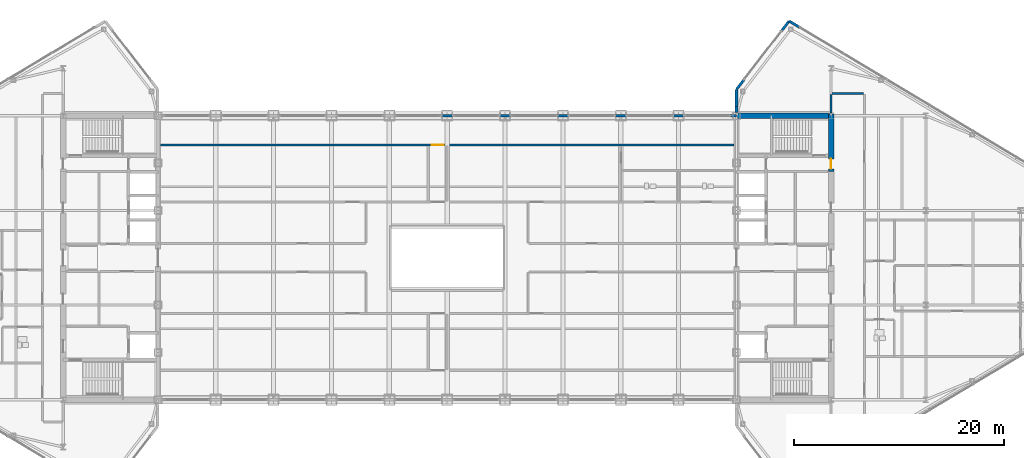
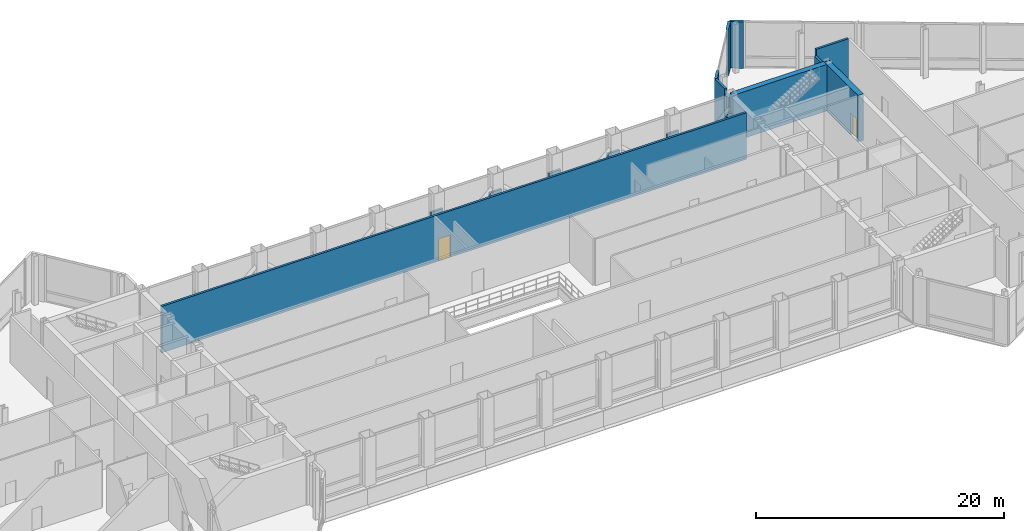
# One storey, part 27 of 30: 16 walls, 2 doors, 2 openings.
"""IFC4 building model written with IfcOpenShell, lengths in metres."""

import ifcopenshell
import ifcopenshell.guid

model = None  # the IFC model being written
_history = None  # IfcOwnerHistory: only IFC2X3 demands one
_inside = {}  # id of a spatial element -> (the spatial element, [elements in it])
_under = {}  # id of a project, library or spatial element -> (it, [spatial elements below it])
_declared = {}  # id of a project -> (the project, [libraries it declares])
_typed = {}  # id of a type object -> (the type object, [elements of that type])
_made_of = {}  # id of a material, layer set ... -> (it, [elements and type objects made of it])


def new_model(schema):
    """Start an empty IFC model of exactly this schema.

    Asked for "IFC4X3", IfcOpenShell would pick the latest addendum, in which some entities
    have other attributes; the version numbers below select the first issue.
    IFC2X3 requires an IfcOwnerHistory on every rooted entity: one is made here for all.
    """
    global model, _history
    if schema == "IFC4X3":
        model = ifcopenshell.file(schema_version=(4, 3, 0, 0))
    else:
        model = ifcopenshell.file(schema=schema)
    _inside.clear()
    _under.clear()
    _declared.clear()
    _typed.clear()
    _made_of.clear()
    _history = None
    if model.schema == "IFC2X3":
        org = make("IfcOrganization", Name="unknown")
        user = make(
            "IfcPersonAndOrganization",
            ThePerson=make("IfcPerson", FamilyName="unknown"),
            TheOrganization=org,
        )
        app = make(
            "IfcApplication",
            ApplicationDeveloper=org,
            Version="unknown",
            ApplicationFullName="unknown",
            ApplicationIdentifier="unknown",
        )
        _history = make(
            "IfcOwnerHistory",
            OwningUser=user,
            OwningApplication=app,
            ChangeAction="ADDED",
            CreationDate=0,
        )
    return model


def make(cls, **values):
    """One entity of the class cls with the attributes given. An attribute that is None is left unset."""
    return model.create_entity(
        cls, **{name: value for name, value in values.items() if value is not None}
    )


def rooted(cls, **values):
    """An entity with a GlobalId (a new one), such as an element, a storey or a relation."""
    return make(cls, GlobalId=ifcopenshell.guid.new(), OwnerHistory=_history, **values)


def si_unit(unit_type, name, prefix=None):
    """IfcSIUnit, for example si_unit("LENGTHUNIT", "METRE", prefix="MILLI")."""
    return make("IfcSIUnit", UnitType=unit_type, Prefix=prefix, Name=name)


def assignment(units):
    """IfcUnitAssignment: the units of a project."""
    return None if units is None else make("IfcUnitAssignment", Units=units)


def point(xyz):
    """IfcCartesianPoint."""
    return None if xyz is None else make("IfcCartesianPoint", Coordinates=xyz)


def direction(xyz):
    """IfcDirection."""
    return None if xyz is None else make("IfcDirection", DirectionRatios=xyz)


def frame(location, z_axis=None, x_axis=None):
    """IfcAxis2Placement3D, a coordinate frame: its origin and axes. An axis left out is left unset."""
    return make(
        "IfcAxis2Placement3D",
        Location=point(location),
        Axis=direction(z_axis),
        RefDirection=direction(x_axis),
    )


def frame_2d(location, x_axis=None):
    """IfcAxis2Placement2D, a coordinate frame in the plane: its origin and x axis."""
    return make(
        "IfcAxis2Placement2D", Location=point(location), RefDirection=direction(x_axis)
    )


def origin():
    """The frame at (0, 0, 0) with its axes left unset."""
    return frame((0.0, 0.0, 0.0))


def place(relative_to, where):
    """IfcLocalPlacement: puts the frame where relative to a parent placement (None: the world)."""
    return make(
        "IfcLocalPlacement", PlacementRelTo=relative_to, RelativePlacement=where
    )


def context(
    kind, dimensions, precision=None, world=None, true_north=None, identifier=None
):
    """IfcGeometricRepresentationContext, for example the 3D "Model" context."""
    return make(
        "IfcGeometricRepresentationContext",
        ContextIdentifier=identifier,
        ContextType=kind,
        CoordinateSpaceDimension=dimensions,
        Precision=precision,
        WorldCoordinateSystem=world,
        TrueNorth=true_north,
    )


def subcontext(parent, identifier, kind, view, scale=None):
    """IfcGeometricRepresentationSubContext, for example "Body" below "Model"."""
    return make(
        "IfcGeometricRepresentationSubContext",
        ContextIdentifier=identifier,
        ContextType=kind,
        ParentContext=parent,
        TargetScale=scale,
        TargetView=view,
    )


def project(units=None, contexts=None):
    """IfcProject with its units and contexts."""
    return rooted(
        "IfcProject",
        Name="project",
        RepresentationContexts=contexts,
        UnitsInContext=assignment(units),
    )


def spatial(cls, under=None, at=None, **own):
    """A site, building, storey or space (cls), placed at a placement, below another one or the project."""
    s = rooted(cls, ObjectPlacement=at, **own)
    if under is not None:
        _under.setdefault(under.id(), (under, []))[1].append(s)
    return s


def profile(cls, at=None, kind="AREA", **sizes):
    """A parametric profile (cls). Its sizes go by their IFC names, for example OverallWidth=200.0."""
    return make(cls, ProfileType=kind, Position=at, **sizes)


def rectangle(**sizes):
    """IfcRectangleProfileDef."""
    return profile("IfcRectangleProfileDef", **sizes)


def extrude(swept, where, along, depth):
    """IfcExtrudedAreaSolid: the profile swept, set in the frame where, extruded along a direction by depth."""
    return make(
        "IfcExtrudedAreaSolid",
        SweptArea=swept,
        Position=where,
        ExtrudedDirection=direction(along),
        Depth=depth,
    )


def shape(context_of_items, identifier, shape_type, items):
    """IfcShapeRepresentation: the items that make up one representation, for example the "Body"."""
    return make(
        "IfcShapeRepresentation",
        ContextOfItems=context_of_items,
        RepresentationIdentifier=identifier,
        RepresentationType=shape_type,
        Items=items,
    )


def source(mapping_origin, context_of_items, identifier, shape_type, items):
    """IfcRepresentationMap: a shape defined once, which mapped items show again and again."""
    return make(
        "IfcRepresentationMap",
        MappingOrigin=mapping_origin,
        MappedRepresentation=shape(context_of_items, identifier, shape_type, items),
    )


def transform(
    local_origin,
    x_axis=None,
    y_axis=None,
    z_axis=None,
    scale=None,
    scale2=None,
    scale3=None,
    uniform=True,
):
    """IfcCartesianTransformationOperator3D, or its non-uniform kind. x_axis, y_axis, z_axis: its Axis1, 2, 3."""
    if uniform:
        return make(
            "IfcCartesianTransformationOperator3D",
            Axis1=direction(x_axis),
            Axis2=direction(y_axis),
            LocalOrigin=point(local_origin),
            Scale=scale,
            Axis3=direction(z_axis),
        )
    return make(
        "IfcCartesianTransformationOperator3DnonUniform",
        Axis1=direction(x_axis),
        Axis2=direction(y_axis),
        LocalOrigin=point(local_origin),
        Scale=scale,
        Axis3=direction(z_axis),
        Scale2=scale2,
        Scale3=scale3,
    )


def mapped(mapping_source, mapping_target):
    """IfcMappedItem: shows the shape of a source again, moved by a transform."""
    return make(
        "IfcMappedItem", MappingSource=mapping_source, MappingTarget=mapping_target
    )


def material(Name=None, Category=None):
    """IfcMaterial."""
    return make("IfcMaterial", Name=Name, Category=Category)


def layer(
    of_material, thickness, ventilated=None, Name=None, Category=None, Priority=None
):
    """IfcMaterialLayer: one layer of a wall or slab, of a material (None: an air gap)."""
    return make(
        "IfcMaterialLayer",
        Material=of_material,
        LayerThickness=thickness,
        IsVentilated=ventilated,
        Name=Name,
        Category=Category,
        Priority=Priority,
    )


def layer_set(layers, Name=None):
    """IfcMaterialLayerSet."""
    return make("IfcMaterialLayerSet", MaterialLayers=layers, LayerSetName=Name)


def made_of(thing, what):
    """Note that an element or type object is made of a material, layer set ...; save() writes the relation."""
    if what is not None:
        _made_of.setdefault(what.id(), (what, []))[1].append(thing)
    return thing


def type_object(cls, material=None, **own):
    """A type object (cls), such as IfcWallType, which elements share."""
    return made_of(rooted(cls, **own), material)


def type_shapes(of_type, sources):
    """Give a type object the sources (RepresentationMaps) that its elements show as mapped items."""
    of_type.RepresentationMaps = sources


def element(
    cls,
    number,
    at=None,
    inside=None,
    cuts=None,
    type_object=None,
    material=None,
    context=None,
    identifier="Body",
    shape_type=None,
    held_by="IfcProductDefinitionShape",
    body=None,
    shapes=None,
    **own,
):
    """One element of the class cls, such as IfcWall. Its Tag is "e" and its number.

    at: its placement. inside: the storey or other place that contains it. cuts: it is an
    opening in that element (IfcRelVoidsElement). A single representation is given by context,
    identifier, shape_type and body (its items); several are given by shapes. held_by: the class
    of the entity that holds the representations. save() writes the other relations.
    """
    e = rooted(cls, Tag="e%d" % number, ObjectPlacement=at, **own)
    if body is not None:
        shapes = [shape(context, identifier, shape_type, body)]
    if shapes is not None:
        e.Representation = make(held_by, Representations=shapes)
    if inside is not None:
        _inside.setdefault(inside.id(), (inside, []))[1].append(e)
    if cuts is not None:
        rooted(
            "IfcRelVoidsElement", RelatingBuildingElement=cuts, RelatedOpeningElement=e
        )
    if type_object is not None:
        _typed.setdefault(type_object.id(), (type_object, []))[1].append(e)
    return made_of(e, material)


def fill(opening, filler):
    """IfcRelFillsElement: the door or window that sits in an opening."""
    return rooted(
        "IfcRelFillsElement",
        RelatingOpeningElement=opening,
        RelatedBuildingElement=filler,
    )


def aggregate(whole, parts):
    """IfcRelAggregates: a whole, such as a stair, and the parts it consists of."""
    return rooted("IfcRelAggregates", RelatingObject=whole, RelatedObjects=parts)


def save(model, path):
    """Write the relations noted so far, then the file.

    IfcRelAggregates (storeys below a building ...), IfcRelContainedInSpatialStructure (elements
    in a storey), IfcRelDefinesByType, IfcRelAssociatesMaterial and IfcRelDeclares: one each for
    every whole, place, type object, material and project.
    """
    for whole, parts in _under.values():
        aggregate(whole, parts)
    for where, things in _inside.values():
        rooted(
            "IfcRelContainedInSpatialStructure",
            RelatedElements=things,
            RelatingStructure=where,
        )
    for kind, things in _typed.values():
        rooted("IfcRelDefinesByType", RelatedObjects=things, RelatingType=kind)
    for what, things in _made_of.values():
        rooted("IfcRelAssociatesMaterial", RelatedObjects=things, RelatingMaterial=what)
    for by, libraries in _declared.values():
        rooted("IfcRelDeclares", RelatingContext=by, RelatedDefinitions=libraries)
    model.write(path)


model = new_model("IFC4")

# Units and contexts
model_context = context("Model", 3, precision=1e-05, world=origin(), true_north=direction((0.0, 1.0)))
body_context = subcontext(model_context, "Body", "Model", "MODEL_VIEW")
ifc_project = project(units=[si_unit("LENGTHUNIT", "METRE"), si_unit("AREAUNIT", "SQUARE_METRE"), si_unit("VOLUMEUNIT", "CUBIC_METRE"), si_unit("PLANEANGLEUNIT", "RADIAN"), si_unit("MASSUNIT", "GRAM", prefix="KILO")], contexts=[model_context])

# Site, building, storey
site_placement = place(None, origin())
site = spatial("IfcSite", under=ifc_project, at=site_placement, CompositionType="ELEMENT")
building_placement = place(site_placement, origin())
building = spatial("IfcBuilding", under=site, at=building_placement, Name="Seokmaru Belvedere", CompositionType="ELEMENT")
storey_placement = place(building_placement, frame((0.0, 0.0, 234.60009765625)))
storey = spatial("IfcBuildingStorey", under=building, at=storey_placement, Name="L62", CompositionType="ELEMENT", Elevation=234.60009765625)

# Walls
ifc_material_1 = material(Name="Anodised Bronze Aluminium", Category="aluminium")
ifc_layer_1 = layer(ifc_material_1, 0.2099609375)
ifc_layer_set_1 = layer_set([ifc_layer_1], Name="Anodised Bronze Aluminium")
wall_type_1 = type_object("IfcWallType", Name="Bridge Column Spandrel Closure Pier 210", PredefinedType="SOLIDWALL", material=ifc_layer_set_1)
for number, where, z_axis, x_axis, name in (
    (1, (-0.550048828125, 13.5, 0.0), (0.0, 0.0, 1.0), (1.0, 0.0, 0.0), "L62 Bridge North Column Closure Pier 06"),
    (2, (4.949951171875, 13.5, 0.0), (0.0, 0.0, 1.0), (1.0, 0.0, 0.0), "L62 Bridge North Column Closure Pier 07"),
    (3, (10.449951171875, 13.5, 0.0), (0.0, 0.0, 1.0), (1.0, 0.0, 0.0), "L62 Bridge North Column Closure Pier 08"),
    (4, (15.949951171875, 13.5, 0.0), (0.0, 0.0, 1.0), (1.0, 0.0, 0.0), "L62 Bridge North Column Closure Pier 09"),
    (5, (21.449951171875, 13.5, 0.0), (0.0, 0.0, 1.0), (1.0, 0.0, 0.0), "L62 Bridge North Column Closure Pier 10"),
):
    element("IfcWall", number, at=place(storey_placement, frame(where, z_axis=z_axis, x_axis=x_axis)), inside=storey, type_object=wall_type_1, Name=name, PredefinedType="SOLIDWALL", context=body_context, shape_type="SweptSolid", body=[
        extrude(rectangle(XDim=1.10009765625, YDim=0.2099609375, at=frame_2d((0.550048828125, 0.0))), origin(), (0.0, 0.0, 1.0), 2.77978515625),
    ])
wall_1_placement = place(storey_placement, frame((26.949951171875, 13.5, 0.0), z_axis=(0.0, 0.0, 1.0), x_axis=(1.0, 0.0, 0.0)))
element("IfcWall", 6, at=wall_1_placement, inside=storey, type_object=wall_type_1, Name="L62 Bridge North Column Closure Pier 11", PredefinedType="SOLIDWALL", context=body_context, shape_type="SweptSolid", body=[
    extrude(rectangle(XDim=0.5400390625, YDim=0.2099609375, at=frame_2d((0.27001953125, 0.0))), origin(), (0.0, 0.0, 1.0), 2.77978515625),
])

# Wall, opening, door
ifc_material_2 = material(Name="Fire-Rated Gypsum Shaftwall")
ifc_layer_2 = layer(ifc_material_2, 0.199951171875)
ifc_layer_set_2 = layer_set([ifc_layer_2], Name="Fire-Rated Gypsum Shaftwall")
wall_type_2 = type_object("IfcWallType", Name="Inter-Tenancy Fire Compartment Partition 200", PredefinedType="PARTITIONING", material=ifc_layer_set_2)
wall_2_placement = place(storey_placement, frame((-27.2451171875, 10.699951171875, 0.0), z_axis=(0.0, 0.0, 1.0), x_axis=(1.0, 0.0, 0.0)))
wall_2 = element("IfcWall", 7, at=wall_2_placement, inside=storey, type_object=wall_type_2, Name="L62 Interior Partition 023", PredefinedType="PARTITIONING", context=body_context, shape_type="SweptSolid", body=[
    extrude(rectangle(XDim=54.490234375, YDim=0.199951171875, at=frame_2d((27.2451171875, 0.0))), origin(), (0.0, 0.0, 1.0), 4.579833984375),
])
opening_1_placement = place(wall_2_placement, frame((25.77001953125, 0.0, 0.0)))
opening_1 = element("IfcOpeningElement", 8, at=opening_1_placement, cuts=wall_2, Name="Opening D02", PredefinedType="OPENING", context=body_context, shape_type="SweptSolid", body=[
    extrude(rectangle(XDim=1.14990234375, YDim=2.199951171875, at=frame_2d((0.574951171875, 1.10009765625))), frame((0.0, 0.10986328125, 0.0), z_axis=(0.0, -1.0, 0.0), x_axis=(1.0, 0.0, 0.0)), (0.0, 0.0, 1.0), 0.219970703125),
])
ifc_material_3 = material(Name="Fire-Rated Steel Leaf", Category="steel")
door_type_1 = type_object("IfcDoorType", Name="Lobby and Vestibule Fire Door 1150x2200", OperationType="NOTDEFINED", PredefinedType="DOOR", material=ifc_material_3)
shared_shape_1 = source(origin(), body_context, "Body", "SweptSolid", [
    extrude(rectangle(XDim=1.14990234375, YDim=2.199951171875, at=frame_2d((0.574951171875, 1.10009765625))), frame((0.0, 0.02490234375, 0.0), z_axis=(0.0, -1.0, 0.0), x_axis=(1.0, 0.0, 0.0)), (0.0, 0.0, 1.0), 0.050048828125),
])
type_shapes(door_type_1, [shared_shape_1])
door_1_placement = place(opening_1_placement, origin())
door_1 = element("IfcDoor", 9, at=door_1_placement, inside=storey, type_object=door_type_1, Name="L62 Interior Door 030", OperationType="SINGLE_SWING_RIGHT", OverallHeight=2.199951171875, OverallWidth=1.14990234375, PredefinedType="DOOR", context=body_context, shape_type="MappedRepresentation", body=[
    mapped(shared_shape_1, transform((0.0, 0.0, 0.0), scale=1.0)),
])
fill(opening_1, door_1)

# Walls
wall_3_placement = place(storey_placement, frame((36.5849609375, 15.60009765625, 0.0), z_axis=(0.0, 0.0, 1.0), x_axis=(1.0, 0.0, 0.0)))
element("IfcWall", 10, at=wall_3_placement, inside=storey, type_object=wall_type_2, Name="L62 Interior Partition 025", PredefinedType="PARTITIONING", context=body_context, shape_type="SweptSolid", body=[
    extrude(rectangle(XDim=2.97998046875, YDim=0.199951171875, at=frame_2d((1.489990234375, 0.0))), origin(), (0.0, 0.0, 1.0), 4.579833984375),
])
wall_4_placement = place(storey_placement, frame((36.5, 13.7548828125, 0.0), z_axis=(0.0, 0.0, 1.0), x_axis=(0.0, 1.0, 0.0)))
element("IfcWall", 11, at=wall_4_placement, inside=storey, type_object=wall_type_2, Name="L62 Interior Partition 044", PredefinedType="PARTITIONING", context=body_context, shape_type="SweptSolid", body=[
    extrude(rectangle(XDim=1.760009765625, YDim=0.199951171875, at=frame_2d((0.8798828125, 0.0))), origin(), (0.0, 0.0, 1.0), 3.97998046875),
])
ifc_layer_3 = layer(ifc_material_1, 0.239990234375)
ifc_layer_set_3 = layer_set([ifc_layer_3], Name="Anodised Bronze Aluminium")
wall_type_3 = type_object("IfcWallType", Name="Tower Corner Spandrel Closure Wall 240", PredefinedType="SOLIDWALL", material=ifc_layer_set_3)
for number, where, z_axis, x_axis, name in (
    (12, (33.486083984375, 21.908203125, 0.0), (0.0, 0.0, 1.0), (-0.85743623509, 0.514590228002, 0.0), "L62 E Corner Closure Pier 3B"),
    (13, (32.493896484375, 22.4921875, 0.0), (0.0, 0.0, 1.0), (-0.609617623633, -0.792695624408, 0.0), "L62 E Corner Closure Pier 4A"),
    (14, (28.201171875, 16.91162109375, 0.0), (0.0, 0.0, 1.0), (-0.609617623633, -0.792695624408, 0.0), "L62 E Corner Closure Pier 4B"),
):
    element("IfcWall", number, at=place(storey_placement, frame(where, z_axis=z_axis, x_axis=x_axis)), inside=storey, type_object=wall_type_3, Name=name, PredefinedType="SOLIDWALL", context=body_context, shape_type="SweptSolid", body=[
        extrude(rectangle(XDim=1.14013671875, YDim=0.239990234375, at=frame_2d((0.570068359375, 0.0))), origin(), (0.0, 0.0, 1.0), 4.579833984375),
    ])
wall_5_placement = place(storey_placement, frame((27.5, 13.7548828125, 0.0), z_axis=(0.0, 0.0, 1.0), x_axis=(0.0, 1.0, 0.0)))
element("IfcWall", 15, at=wall_5_placement, inside=storey, type_object=wall_type_3, Name="L62 E Shoulder Closure Wall 2", PredefinedType="SOLIDWALL", context=body_context, shape_type="SweptSolid", body=[
    extrude(rectangle(XDim=0.619873046875, YDim=0.239990234375, at=frame_2d((0.31005859375, 0.0))), origin(), (0.0, 0.0, 1.0), 4.079833984375),
])
wall_6_placement = place(storey_placement, frame((27.5, 14.374755859375, 0.0), z_axis=(0.0, 0.0, 1.0), x_axis=(0.0, 1.0, 0.0)))
element("IfcWall", 16, at=wall_6_placement, inside=storey, type_object=wall_type_3, Name="L62 E Shoulder Closure Wall 2 Part 2", PredefinedType="SOLIDWALL", context=body_context, shape_type="SweptSolid", body=[
    extrude(rectangle(XDim=1.605224609375, YDim=0.239990234375, at=frame_2d((0.802734375, 0.0))), origin(), (0.0, 0.0, 1.0), 4.579833984375),
])
ifc_material_4 = material(Name="Concrete C50 (50 MPa)", Category="concrete")
ifc_layer_4 = layer(ifc_material_4, 0.5)
ifc_layer_set_4 = layer_set([ifc_layer_4], Name="Concrete C50 (50 MPa)")
wall_type_4 = type_object("IfcWallType", Name="Upper Tower Reinforced Concrete Core Wall 500", PredefinedType="SHEAR", material=ifc_layer_set_4)
wall_7_placement = place(storey_placement, frame((27.5, 13.5, 0.0), z_axis=(0.0, 0.0, 1.0), x_axis=(1.0, 0.0, 0.0)))
element("IfcWall", 17, at=wall_7_placement, inside=storey, type_object=wall_type_4, Name="L62 East North Core Wall", PredefinedType="SHEAR", context=body_context, shape_type="SweptSolid", body=[
    extrude(rectangle(XDim=9.0, YDim=0.5, at=frame_2d((4.5, 0.0))), origin(), (0.0, 0.0, 1.0), 4.579833984375),
])

# Wall, opening, door
wall_8_placement = place(storey_placement, frame((36.5, 8.199951171875, 0.0), z_axis=(0.0, 0.0, 1.0), x_axis=(0.0, 1.0, 0.0)))
wall_8 = element("IfcWall", 18, at=wall_8_placement, inside=storey, type_object=wall_type_4, Name="L62 East West Core Wall VST", PredefinedType="SHEAR", context=body_context, shape_type="SweptSolid", body=[
    extrude(rectangle(XDim=5.449951171875, YDim=0.5, at=frame_2d((2.72509765625, 0.0))), origin(), (0.0, 0.0, 1.0), 4.579833984375),
])
opening_2_placement = place(wall_8_placement, frame((0.2451171875, 0.0, 0.0)))
opening_2 = element("IfcOpeningElement", 19, at=opening_2_placement, cuts=wall_8, Name="Opening D04", PredefinedType="OPENING", context=body_context, shape_type="SweptSolid", body=[
    extrude(rectangle(XDim=0.949951171875, YDim=2.14990234375, at=frame_2d((0.47509765625, 1.074951171875))), frame((0.0, 0.260009765625, 0.0), z_axis=(0.0, -1.0, 0.0), x_axis=(1.0, 0.0, 0.0)), (0.0, 0.0, 1.0), 0.52001953125),
])
door_type_2 = type_object("IfcDoorType", Name="Core Service Room Fire Door 950x2150", OperationType="NOTDEFINED", PredefinedType="DOOR", material=ifc_material_3)
shared_shape_2 = source(origin(), body_context, "Body", "SweptSolid", [
    extrude(rectangle(XDim=0.949951171875, YDim=2.14990234375, at=frame_2d((0.47509765625, 1.074951171875))), frame((0.0, 0.02490234375, 0.0), z_axis=(0.0, -1.0, 0.0), x_axis=(1.0, 0.0, 0.0)), (0.0, 0.0, 1.0), 0.050048828125),
])
type_shapes(door_type_2, [shared_shape_2])
door_2_placement = place(opening_2_placement, origin())
door_2 = element("IfcDoor", 20, at=door_2_placement, inside=storey, type_object=door_type_2, Name="L62 East Smokeproof Vestibule Door", OperationType="SINGLE_SWING_LEFT", OverallHeight=2.14990234375, OverallWidth=0.949951171875, PredefinedType="DOOR", context=body_context, shape_type="MappedRepresentation", body=[
    mapped(shared_shape_2, transform((0.0, 0.0, 0.0), scale=1.0)),
])
fill(opening_2, door_2)

save(model, "model.ifc")
